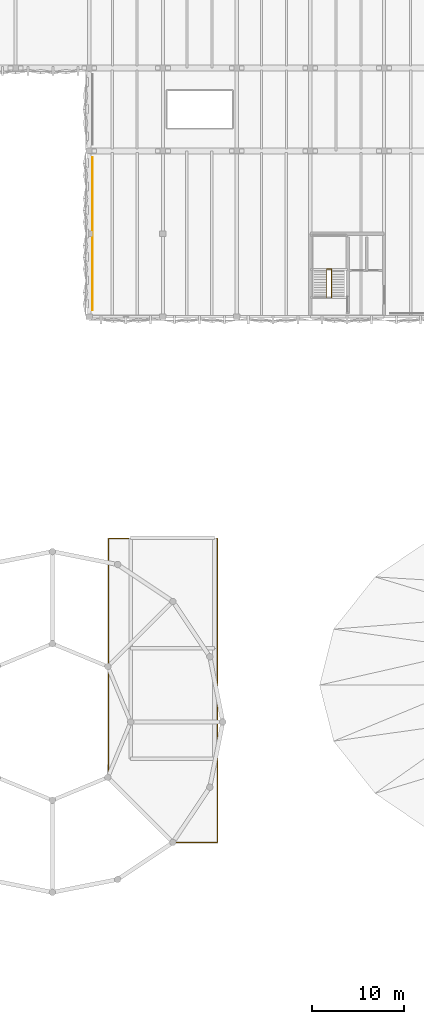
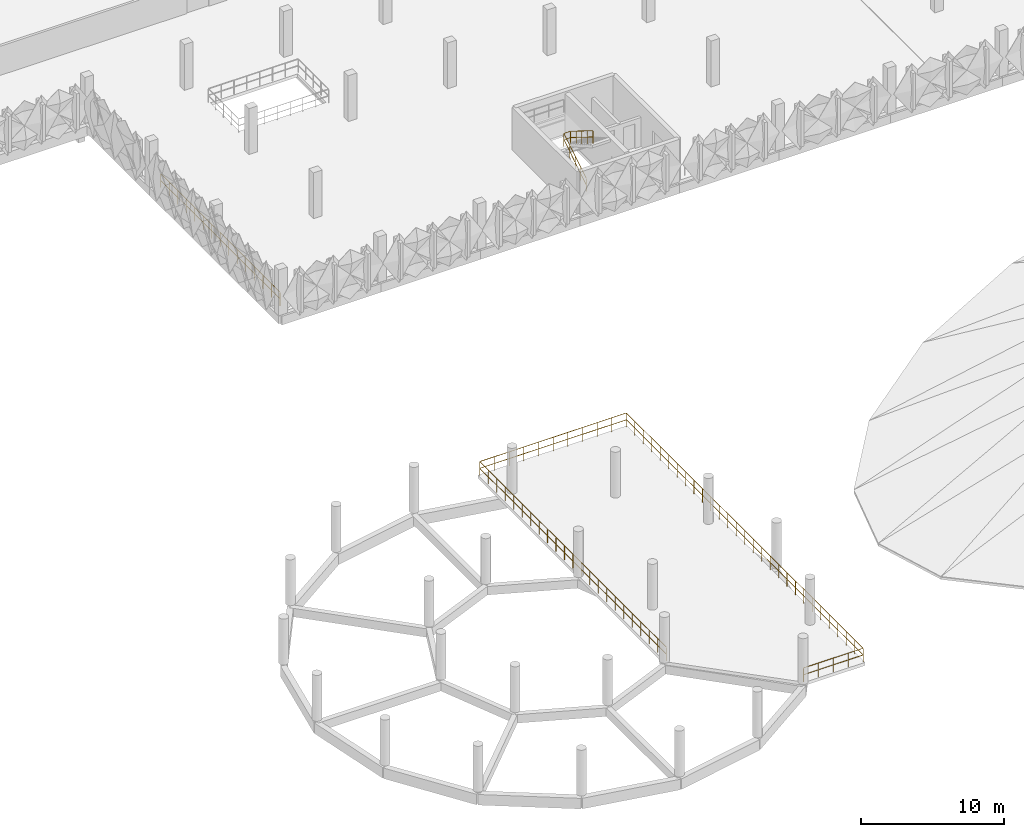
# One storey, part 45 of 52: 3 railings.
"""IFC4 building model written with IfcOpenShell, lengths in metres."""

from ifc_helpers import new_model, si_unit, derived_unit, direction, frame, origin, origin_2d, place, context, subcontext, project, spatial, circle, extrude, material, type_object, element, save


model = new_model("IFC4")

# Units and contexts
model_context = context("Model", 3, precision=1e-05, world=origin(), true_north=direction((0.0, 1.0)))
body_context = subcontext(model_context, "Body", "Model", "MODEL_VIEW")
ifc_project = project(units=[si_unit("LENGTHUNIT", "METRE"), si_unit("AREAUNIT", "SQUARE_METRE"), si_unit("VOLUMEUNIT", "CUBIC_METRE"), si_unit("PLANEANGLEUNIT", "RADIAN"), si_unit("MASSUNIT", "GRAM", prefix="KILO"), si_unit("THERMODYNAMICTEMPERATUREUNIT", "KELVIN"), derived_unit("THERMALTRANSMITTANCEUNIT", [(si_unit("POWERUNIT", "WATT"), 1), (si_unit("AREAUNIT", "SQUARE_METRE"), -1), (si_unit("THERMODYNAMICTEMPERATUREUNIT", "KELVIN"), -1)])], contexts=[model_context])

# Site, building, storey
site_placement = place(None, origin())
site = spatial("IfcSite", under=ifc_project, at=site_placement, CompositionType="ELEMENT")
building_placement = place(site_placement, origin())
building = spatial("IfcBuilding", under=site, at=building_placement, Name="Haiyu Intermodal Mobility Hub", CompositionType="ELEMENT")
storey_placement = place(building_placement, frame((0.0, 0.0, 21.199951171875)))
storey = spatial("IfcBuildingStorey", under=building, at=storey_placement, Name="L05", CompositionType="ELEMENT", Elevation=21.199951171875)

# Railings
ifc_material = material(Name="Steel Q355C", Category="steel")
railing_type_1 = type_object("IfcRailingType", Name="RAL-GR01", PredefinedType="GUARDRAIL", material=ifc_material)
railing_1_placement = place(storey_placement, frame((47.10009765625, 46.89990234375, 0.0)))
element("IfcRailing", 1, at=railing_1_placement, inside=storey, type_object=railing_type_1, Name="L05 Ramp Arrival Deck Full Perimeter Guard", PredefinedType="GUARDRAIL", context=body_context, shape_type="SweptSolid", body=[
    extrude(circle(Radius=0.02392578125, at=origin_2d()), frame((0.030029296875, 0.0, 1.17578125), z_axis=(1.0, 0.0, 0.0), x_axis=(0.0, 1.0, 0.0)), (0.0, 0.0, 1.0), 4.73974609375),
    extrude(circle(Radius=0.02392578125, at=origin_2d()), frame((0.037353515625, 0.0, 0.60009765625), z_axis=(1.0, 0.0, 0.0), x_axis=(0.0, 1.0, 0.0)), (0.0, 0.0, 1.0), 1.125244140625),
    extrude(circle(Radius=0.02392578125, at=origin_2d()), frame((1.2373046875, 0.0, 0.60009765625), z_axis=(1.0, 0.0, 0.0), x_axis=(0.0, 1.0, 0.0)), (0.0, 0.0, 1.0), 1.125244140625),
    extrude(circle(Radius=0.02392578125, at=origin_2d()), frame((2.437255859375, 0.0, 0.60009765625), z_axis=(1.0, 0.0, 0.0), x_axis=(0.0, 1.0, 0.0)), (0.0, 0.0, 1.0), 1.125244140625),
    extrude(circle(Radius=0.02392578125, at=origin_2d()), frame((3.63720703125, 0.0, 0.60009765625), z_axis=(1.0, 0.0, 0.0), x_axis=(0.0, 1.0, 0.0)), (0.0, 0.0, 1.0), 1.125244140625),
    extrude(circle(Radius=0.02392578125, at=origin_2d()), frame((4.7998046875, 0.030029296875, 1.17578125), z_axis=(0.0, 1.0, 0.0), x_axis=(-1.0, 0.0, 0.0)), (0.0, 0.0, 1.0), 32.93994140625),
    extrude(circle(Radius=0.02392578125, at=origin_2d()), frame((4.7998046875, 0.037353515625, 0.60009765625), z_axis=(0.0, 1.0, 0.0), x_axis=(-1.0, 0.0, 0.0)), (0.0, 0.0, 1.0), 1.10400390625),
    extrude(circle(Radius=0.02392578125, at=origin_2d()), frame((4.7998046875, 1.2158203125, 0.60009765625), z_axis=(0.0, 1.0, 0.0), x_axis=(-1.0, 0.0, 0.0)), (0.0, 0.0, 1.0), 1.10400390625),
    extrude(circle(Radius=0.02392578125, at=origin_2d()), frame((4.7998046875, 2.39453125, 0.60009765625), z_axis=(0.0, 1.0, 0.0), x_axis=(-1.0, 0.0, 0.0)), (0.0, 0.0, 1.0), 1.10400390625),
    extrude(circle(Radius=0.02392578125, at=origin_2d()), frame((4.7998046875, 3.572998046875, 0.60009765625), z_axis=(0.0, 1.0, 0.0), x_axis=(-1.0, 0.0, 0.0)), (0.0, 0.0, 1.0), 1.10400390625),
    extrude(circle(Radius=0.02392578125, at=origin_2d()), frame((4.7998046875, 4.75146484375, 0.60009765625), z_axis=(0.0, 1.0, 0.0), x_axis=(-1.0, 0.0, 0.0)), (0.0, 0.0, 1.0), 1.10400390625),
    extrude(circle(Radius=0.02392578125, at=origin_2d()), frame((4.7998046875, 5.93017578125, 0.60009765625), z_axis=(0.0, 1.0, 0.0), x_axis=(-1.0, 0.0, 0.0)), (0.0, 0.0, 1.0), 1.10400390625),
    extrude(circle(Radius=0.02392578125, at=origin_2d()), frame((4.7998046875, 7.108642578125, 0.60009765625), z_axis=(0.0, 1.0, 0.0), x_axis=(-1.0, 0.0, 0.0)), (0.0, 0.0, 1.0), 1.10400390625),
    extrude(circle(Radius=0.02392578125, at=origin_2d()), frame((4.7998046875, 8.287353515625, 0.60009765625), z_axis=(0.0, 1.0, 0.0), x_axis=(-1.0, 0.0, 0.0)), (0.0, 0.0, 1.0), 1.10400390625),
    extrude(circle(Radius=0.02392578125, at=origin_2d()), frame((4.7998046875, 9.4658203125, 0.60009765625), z_axis=(0.0, 1.0, 0.0), x_axis=(-1.0, 0.0, 0.0)), (0.0, 0.0, 1.0), 1.10400390625),
    extrude(circle(Radius=0.02392578125, at=origin_2d()), frame((4.7998046875, 10.64453125, 0.60009765625), z_axis=(0.0, 1.0, 0.0), x_axis=(-1.0, 0.0, 0.0)), (0.0, 0.0, 1.0), 1.10400390625),
    extrude(circle(Radius=0.02392578125, at=origin_2d()), frame((4.7998046875, 11.822998046875, 0.60009765625), z_axis=(0.0, 1.0, 0.0), x_axis=(-1.0, 0.0, 0.0)), (0.0, 0.0, 1.0), 1.10400390625),
    extrude(circle(Radius=0.02392578125, at=origin_2d()), frame((4.7998046875, 13.00146484375, 0.60009765625), z_axis=(0.0, 1.0, 0.0), x_axis=(-1.0, 0.0, 0.0)), (0.0, 0.0, 1.0), 1.10400390625),
    extrude(circle(Radius=0.02392578125, at=origin_2d()), frame((4.7998046875, 14.18017578125, 0.60009765625), z_axis=(0.0, 1.0, 0.0), x_axis=(-1.0, 0.0, 0.0)), (0.0, 0.0, 1.0), 1.10400390625),
    extrude(circle(Radius=0.02392578125, at=origin_2d()), frame((4.7998046875, 15.358642578125, 0.60009765625), z_axis=(0.0, 1.0, 0.0), x_axis=(-1.0, 0.0, 0.0)), (0.0, 0.0, 1.0), 1.10400390625),
    extrude(circle(Radius=0.02392578125, at=origin_2d()), frame((4.7998046875, 16.537353515625, 0.60009765625), z_axis=(0.0, 1.0, 0.0), x_axis=(-1.0, 0.0, 0.0)), (0.0, 0.0, 1.0), 1.10400390625),
    extrude(circle(Radius=0.02392578125, at=origin_2d()), frame((4.7998046875, 17.7158203125, 0.60009765625), z_axis=(0.0, 1.0, 0.0), x_axis=(-1.0, 0.0, 0.0)), (0.0, 0.0, 1.0), 1.10400390625),
    extrude(circle(Radius=0.02392578125, at=origin_2d()), frame((4.7998046875, 18.89453125, 0.60009765625), z_axis=(0.0, 1.0, 0.0), x_axis=(-1.0, 0.0, 0.0)), (0.0, 0.0, 1.0), 1.10400390625),
    extrude(circle(Radius=0.02392578125, at=origin_2d()), frame((4.7998046875, 20.072998046875, 0.60009765625), z_axis=(0.0, 1.0, 0.0), x_axis=(-1.0, 0.0, 0.0)), (0.0, 0.0, 1.0), 1.10400390625),
    extrude(circle(Radius=0.02392578125, at=origin_2d()), frame((4.7998046875, 21.25146484375, 0.60009765625), z_axis=(0.0, 1.0, 0.0), x_axis=(-1.0, 0.0, 0.0)), (0.0, 0.0, 1.0), 1.10400390625),
    extrude(circle(Radius=0.02392578125, at=origin_2d()), frame((4.7998046875, 22.43017578125, 0.60009765625), z_axis=(0.0, 1.0, 0.0), x_axis=(-1.0, 0.0, 0.0)), (0.0, 0.0, 1.0), 1.10400390625),
    extrude(circle(Radius=0.02392578125, at=origin_2d()), frame((4.7998046875, 23.608642578125, 0.60009765625), z_axis=(0.0, 1.0, 0.0), x_axis=(-1.0, 0.0, 0.0)), (0.0, 0.0, 1.0), 1.10400390625),
    extrude(circle(Radius=0.02392578125, at=origin_2d()), frame((4.7998046875, 24.787353515625, 0.60009765625), z_axis=(0.0, 1.0, 0.0), x_axis=(-1.0, 0.0, 0.0)), (0.0, 0.0, 1.0), 1.10400390625),
    extrude(circle(Radius=0.02392578125, at=origin_2d()), frame((4.7998046875, 25.9658203125, 0.60009765625), z_axis=(0.0, 1.0, 0.0), x_axis=(-1.0, 0.0, 0.0)), (0.0, 0.0, 1.0), 1.10400390625),
    extrude(circle(Radius=0.02392578125, at=origin_2d()), frame((4.7998046875, 27.14453125, 0.60009765625), z_axis=(0.0, 1.0, 0.0), x_axis=(-1.0, 0.0, 0.0)), (0.0, 0.0, 1.0), 1.10400390625),
    extrude(circle(Radius=0.02392578125, at=origin_2d()), frame((4.7998046875, 28.322998046875, 0.60009765625), z_axis=(0.0, 1.0, 0.0), x_axis=(-1.0, 0.0, 0.0)), (0.0, 0.0, 1.0), 1.10400390625),
    extrude(circle(Radius=0.02392578125, at=origin_2d()), frame((4.7998046875, 29.50146484375, 0.60009765625), z_axis=(0.0, 1.0, 0.0), x_axis=(-1.0, 0.0, 0.0)), (0.0, 0.0, 1.0), 1.10400390625),
    extrude(circle(Radius=0.02392578125, at=origin_2d()), frame((4.7998046875, 30.68017578125, 0.60009765625), z_axis=(0.0, 1.0, 0.0), x_axis=(-1.0, 0.0, 0.0)), (0.0, 0.0, 1.0), 1.10400390625),
    extrude(circle(Radius=0.02392578125, at=origin_2d()), frame((4.7998046875, 31.858642578125, 0.60009765625), z_axis=(0.0, 1.0, 0.0), x_axis=(-1.0, 0.0, 0.0)), (0.0, 0.0, 1.0), 1.10400390625),
    extrude(circle(Radius=0.02392578125, at=origin_2d()), frame((4.769775390625, 33.0, 1.17578125), z_axis=(-1.0, 0.0, 0.0), x_axis=(0.0, -1.0, 0.0)), (0.0, 0.0, 1.0), 11.73974609375),
    extrude(circle(Radius=0.02392578125, at=origin_2d()), frame((4.762451171875, 33.0, 0.60009765625), z_axis=(-1.0, 0.0, 0.0), x_axis=(0.0, -1.0, 0.0)), (0.0, 0.0, 1.0), 1.10546875),
    extrude(circle(Radius=0.02392578125, at=origin_2d()), frame((3.58251953125, 33.0, 0.60009765625), z_axis=(-1.0, 0.0, 0.0), x_axis=(0.0, -1.0, 0.0)), (0.0, 0.0, 1.0), 1.10546875),
    extrude(circle(Radius=0.02392578125, at=origin_2d()), frame((2.402587890625, 33.0, 0.60009765625), z_axis=(-1.0, 0.0, 0.0), x_axis=(0.0, -1.0, 0.0)), (0.0, 0.0, 1.0), 1.10546875),
    extrude(circle(Radius=0.02392578125, at=origin_2d()), frame((1.22265625, 33.0, 0.60009765625), z_axis=(-1.0, 0.0, 0.0), x_axis=(0.0, -1.0, 0.0)), (0.0, 0.0, 1.0), 1.10546875),
    extrude(circle(Radius=0.02392578125, at=origin_2d()), frame((0.04248046875, 33.0, 0.60009765625), z_axis=(-1.0, 0.0, 0.0), x_axis=(0.0, -1.0, 0.0)), (0.0, 0.0, 1.0), 1.10546875),
    extrude(circle(Radius=0.02392578125, at=origin_2d()), frame((-1.137451171875, 33.0, 0.60009765625), z_axis=(-1.0, 0.0, 0.0), x_axis=(0.0, -1.0, 0.0)), (0.0, 0.0, 1.0), 1.10546875),
    extrude(circle(Radius=0.02392578125, at=origin_2d()), frame((-2.3173828125, 33.0, 0.60009765625), z_axis=(-1.0, 0.0, 0.0), x_axis=(0.0, -1.0, 0.0)), (0.0, 0.0, 1.0), 1.10546875),
    extrude(circle(Radius=0.02392578125, at=origin_2d()), frame((-3.497314453125, 33.0, 0.60009765625), z_axis=(-1.0, 0.0, 0.0), x_axis=(0.0, -1.0, 0.0)), (0.0, 0.0, 1.0), 1.10546875),
    extrude(circle(Radius=0.02392578125, at=origin_2d()), frame((-4.67724609375, 33.0, 0.60009765625), z_axis=(-1.0, 0.0, 0.0), x_axis=(0.0, -1.0, 0.0)), (0.0, 0.0, 1.0), 1.10546875),
    extrude(circle(Radius=0.02392578125, at=origin_2d()), frame((-5.857421875, 33.0, 0.60009765625), z_axis=(-1.0, 0.0, 0.0), x_axis=(0.0, -1.0, 0.0)), (0.0, 0.0, 1.0), 1.10546875),
    extrude(circle(Radius=0.02392578125, at=origin_2d()), frame((-7.0, 32.969970703125, 1.17578125), z_axis=(-0.000769389327, -0.99999970402, 0.0), x_axis=(0.99999970402, -0.000769389327, 0.0)), (0.0, 0.0, 1.0), 25.9599609375),
    extrude(circle(Radius=0.02392578125, at=origin_2d()), frame((-7.0, 32.962646484375, 0.60009765625), z_axis=(-0.000769389327, -0.99999970402, 0.0), x_axis=(0.99999970402, -0.000769389327, 0.0)), (0.0, 0.0, 1.0), 1.108154296875),
    extrude(circle(Radius=0.02392578125, at=origin_2d()), frame((-7.0009765625, 31.780029296875, 0.60009765625), z_axis=(-0.000769389327, -0.99999970402, 0.0), x_axis=(0.99999970402, -0.000769389327, 0.0)), (0.0, 0.0, 1.0), 1.108154296875),
    extrude(circle(Radius=0.02392578125, at=origin_2d()), frame((-7.001953125, 30.59716796875, 0.60009765625), z_axis=(-0.000769389327, -0.99999970402, 0.0), x_axis=(0.99999970402, -0.000769389327, 0.0)), (0.0, 0.0, 1.0), 1.108154296875),
    extrude(circle(Radius=0.02392578125, at=origin_2d()), frame((-7.002685546875, 29.41455078125, 0.60009765625), z_axis=(-0.000769389327, -0.99999970402, 0.0), x_axis=(0.99999970402, -0.000769389327, 0.0)), (0.0, 0.0, 1.0), 1.108154296875),
    extrude(circle(Radius=0.02392578125, at=origin_2d()), frame((-7.003662109375, 28.231689453125, 0.60009765625), z_axis=(-0.000769389327, -0.99999970402, 0.0), x_axis=(0.99999970402, -0.000769389327, 0.0)), (0.0, 0.0, 1.0), 1.108154296875),
    extrude(circle(Radius=0.02392578125, at=origin_2d()), frame((-7.004638671875, 27.049072265625, 0.60009765625), z_axis=(-0.000769389327, -0.99999970402, 0.0), x_axis=(0.99999970402, -0.000769389327, 0.0)), (0.0, 0.0, 1.0), 1.108154296875),
    extrude(circle(Radius=0.02392578125, at=origin_2d()), frame((-7.00537109375, 25.866455078125, 0.60009765625), z_axis=(-0.000769389327, -0.99999970402, 0.0), x_axis=(0.99999970402, -0.000769389327, 0.0)), (0.0, 0.0, 1.0), 1.108154296875),
    extrude(circle(Radius=0.02392578125, at=origin_2d()), frame((-7.00634765625, 24.68359375, 0.60009765625), z_axis=(-0.000769389327, -0.99999970402, 0.0), x_axis=(0.99999970402, -0.000769389327, 0.0)), (0.0, 0.0, 1.0), 1.108154296875),
    extrude(circle(Radius=0.02392578125, at=origin_2d()), frame((-7.00732421875, 23.5009765625, 0.60009765625), z_axis=(-0.000769389327, -0.99999970402, 0.0), x_axis=(0.99999970402, -0.000769389327, 0.0)), (0.0, 0.0, 1.0), 1.108154296875),
    extrude(circle(Radius=0.02392578125, at=origin_2d()), frame((-7.00830078125, 22.318115234375, 0.60009765625), z_axis=(-0.000769389327, -0.99999970402, 0.0), x_axis=(0.99999970402, -0.000769389327, 0.0)), (0.0, 0.0, 1.0), 1.108154296875),
    extrude(circle(Radius=0.02392578125, at=origin_2d()), frame((-7.009033203125, 21.135498046875, 0.60009765625), z_axis=(-0.000769389327, -0.99999970402, 0.0), x_axis=(0.99999970402, -0.000769389327, 0.0)), (0.0, 0.0, 1.0), 1.108154296875),
    extrude(circle(Radius=0.02392578125, at=origin_2d()), frame((-7.010009765625, 19.95263671875, 0.60009765625), z_axis=(-0.000769389327, -0.99999970402, 0.0), x_axis=(0.99999970402, -0.000769389327, 0.0)), (0.0, 0.0, 1.0), 1.108154296875),
    extrude(circle(Radius=0.02392578125, at=origin_2d()), frame((-7.010986328125, 18.77001953125, 0.60009765625), z_axis=(-0.000769389327, -0.99999970402, 0.0), x_axis=(0.99999970402, -0.000769389327, 0.0)), (0.0, 0.0, 1.0), 1.108154296875),
    extrude(circle(Radius=0.02392578125, at=origin_2d()), frame((-7.011962890625, 17.587158203125, 0.60009765625), z_axis=(-0.000769389327, -0.99999970402, 0.0), x_axis=(0.99999970402, -0.000769389327, 0.0)), (0.0, 0.0, 1.0), 1.108154296875),
    extrude(circle(Radius=0.02392578125, at=origin_2d()), frame((-7.0126953125, 16.404541015625, 0.60009765625), z_axis=(-0.000769389327, -0.99999970402, 0.0), x_axis=(0.99999970402, -0.000769389327, 0.0)), (0.0, 0.0, 1.0), 1.108154296875),
    extrude(circle(Radius=0.02392578125, at=origin_2d()), frame((-7.013671875, 15.2216796875, 0.60009765625), z_axis=(-0.000769389327, -0.99999970402, 0.0), x_axis=(0.99999970402, -0.000769389327, 0.0)), (0.0, 0.0, 1.0), 1.108154296875),
    extrude(circle(Radius=0.02392578125, at=origin_2d()), frame((-7.0146484375, 14.0390625, 0.60009765625), z_axis=(-0.000769389327, -0.99999970402, 0.0), x_axis=(0.99999970402, -0.000769389327, 0.0)), (0.0, 0.0, 1.0), 1.108154296875),
    extrude(circle(Radius=0.02392578125, at=origin_2d()), frame((-7.015380859375, 12.8564453125, 0.60009765625), z_axis=(-0.000769389327, -0.99999970402, 0.0), x_axis=(0.99999970402, -0.000769389327, 0.0)), (0.0, 0.0, 1.0), 1.108154296875),
    extrude(circle(Radius=0.02392578125, at=origin_2d()), frame((-7.016357421875, 11.673583984375, 0.60009765625), z_axis=(-0.000769389327, -0.99999970402, 0.0), x_axis=(0.99999970402, -0.000769389327, 0.0)), (0.0, 0.0, 1.0), 1.108154296875),
    extrude(circle(Radius=0.02392578125, at=origin_2d()), frame((-7.017333984375, 10.490966796875, 0.60009765625), z_axis=(-0.000769389327, -0.99999970402, 0.0), x_axis=(0.99999970402, -0.000769389327, 0.0)), (0.0, 0.0, 1.0), 1.108154296875),
    extrude(circle(Radius=0.02392578125, at=origin_2d()), frame((-7.018310546875, 9.30810546875, 0.60009765625), z_axis=(-0.000769389327, -0.99999970402, 0.0), x_axis=(0.99999970402, -0.000769389327, 0.0)), (0.0, 0.0, 1.0), 1.108154296875),
    extrude(circle(Radius=0.02392578125, at=origin_2d()), frame((-7.01904296875, 8.12548828125, 0.60009765625), z_axis=(-0.000769389327, -0.99999970402, 0.0), x_axis=(0.99999970402, -0.000769389327, 0.0)), (0.0, 0.0, 1.0), 1.108154296875),
    extrude(circle(Radius=0.02099609375, at=origin_2d()), origin(), (0.0, 0.0, 1.0), 1.143798828125),
    extrude(circle(Radius=0.02099609375, at=origin_2d()), frame((1.199951171875, 0.0, 0.0)), (0.0, 0.0, 1.0), 1.143798828125),
    extrude(circle(Radius=0.02099609375, at=origin_2d()), frame((2.39990234375, 0.0, 0.0)), (0.0, 0.0, 1.0), 1.143798828125),
    extrude(circle(Radius=0.02099609375, at=origin_2d()), frame((3.599853515625, 0.0, 0.0)), (0.0, 0.0, 1.0), 1.143798828125),
    extrude(circle(Radius=0.02099609375, at=origin_2d()), frame((4.7998046875, 0.0, 0.0)), (0.0, 0.0, 1.0), 1.143798828125),
    extrude(circle(Radius=0.02099609375, at=origin_2d()), frame((4.7998046875, 1.178466796875, 0.0)), (0.0, 0.0, 1.0), 1.143798828125),
    extrude(circle(Radius=0.02099609375, at=origin_2d()), frame((4.7998046875, 2.357177734375, 0.0)), (0.0, 0.0, 1.0), 1.143798828125),
    extrude(circle(Radius=0.02099609375, at=origin_2d()), frame((4.7998046875, 3.53564453125, 0.0)), (0.0, 0.0, 1.0), 1.143798828125),
    extrude(circle(Radius=0.02099609375, at=origin_2d()), frame((4.7998046875, 4.71435546875, 0.0)), (0.0, 0.0, 1.0), 1.143798828125),
    extrude(circle(Radius=0.02099609375, at=origin_2d()), frame((4.7998046875, 5.892822265625, 0.0)), (0.0, 0.0, 1.0), 1.143798828125),
    extrude(circle(Radius=0.02099609375, at=origin_2d()), frame((4.7998046875, 7.071533203125, 0.0)), (0.0, 0.0, 1.0), 1.143798828125),
    extrude(circle(Radius=0.02099609375, at=origin_2d()), frame((4.7998046875, 8.25, 0.0)), (0.0, 0.0, 1.0), 1.143798828125),
    extrude(circle(Radius=0.02099609375, at=origin_2d()), frame((4.7998046875, 9.428466796875, 0.0)), (0.0, 0.0, 1.0), 1.143798828125),
    extrude(circle(Radius=0.02099609375, at=origin_2d()), frame((4.7998046875, 10.607177734375, 0.0)), (0.0, 0.0, 1.0), 1.143798828125),
    extrude(circle(Radius=0.02099609375, at=origin_2d()), frame((4.7998046875, 11.78564453125, 0.0)), (0.0, 0.0, 1.0), 1.143798828125),
    extrude(circle(Radius=0.02099609375, at=origin_2d()), frame((4.7998046875, 12.96435546875, 0.0)), (0.0, 0.0, 1.0), 1.143798828125),
    extrude(circle(Radius=0.02099609375, at=origin_2d()), frame((4.7998046875, 14.142822265625, 0.0)), (0.0, 0.0, 1.0), 1.143798828125),
    extrude(circle(Radius=0.02099609375, at=origin_2d()), frame((4.7998046875, 15.321533203125, 0.0)), (0.0, 0.0, 1.0), 1.143798828125),
    extrude(circle(Radius=0.02099609375, at=origin_2d()), frame((4.7998046875, 16.5, 0.0)), (0.0, 0.0, 1.0), 1.143798828125),
    extrude(circle(Radius=0.02099609375, at=origin_2d()), frame((4.7998046875, 17.678466796875, 0.0)), (0.0, 0.0, 1.0), 1.143798828125),
    extrude(circle(Radius=0.02099609375, at=origin_2d()), frame((4.7998046875, 18.857177734375, 0.0)), (0.0, 0.0, 1.0), 1.143798828125),
    extrude(circle(Radius=0.02099609375, at=origin_2d()), frame((4.7998046875, 20.03564453125, 0.0)), (0.0, 0.0, 1.0), 1.143798828125),
    extrude(circle(Radius=0.02099609375, at=origin_2d()), frame((4.7998046875, 21.21435546875, 0.0)), (0.0, 0.0, 1.0), 1.143798828125),
    extrude(circle(Radius=0.02099609375, at=origin_2d()), frame((4.7998046875, 22.392822265625, 0.0)), (0.0, 0.0, 1.0), 1.143798828125),
    extrude(circle(Radius=0.02099609375, at=origin_2d()), frame((4.7998046875, 23.571533203125, 0.0)), (0.0, 0.0, 1.0), 1.143798828125),
    extrude(circle(Radius=0.02099609375, at=origin_2d()), frame((4.7998046875, 24.75, 0.0)), (0.0, 0.0, 1.0), 1.143798828125),
    extrude(circle(Radius=0.02099609375, at=origin_2d()), frame((4.7998046875, 25.928466796875, 0.0)), (0.0, 0.0, 1.0), 1.143798828125),
    extrude(circle(Radius=0.02099609375, at=origin_2d()), frame((4.7998046875, 27.107177734375, 0.0)), (0.0, 0.0, 1.0), 1.143798828125),
    extrude(circle(Radius=0.02099609375, at=origin_2d()), frame((4.7998046875, 28.28564453125, 0.0)), (0.0, 0.0, 1.0), 1.143798828125),
    extrude(circle(Radius=0.02099609375, at=origin_2d()), frame((4.7998046875, 29.46435546875, 0.0)), (0.0, 0.0, 1.0), 1.143798828125),
    extrude(circle(Radius=0.02099609375, at=origin_2d()), frame((4.7998046875, 30.642822265625, 0.0)), (0.0, 0.0, 1.0), 1.143798828125),
    extrude(circle(Radius=0.02099609375, at=origin_2d()), frame((4.7998046875, 31.821533203125, 0.0)), (0.0, 0.0, 1.0), 1.143798828125),
    extrude(circle(Radius=0.02099609375, at=origin_2d()), frame((4.7998046875, 33.0, 0.0)), (0.0, 0.0, 1.0), 1.143798828125),
    extrude(circle(Radius=0.02099609375, at=origin_2d()), frame((3.619873046875, 33.0, 0.0)), (0.0, 0.0, 1.0), 1.143798828125),
    extrude(circle(Radius=0.02099609375, at=origin_2d()), frame((2.43994140625, 33.0, 0.0)), (0.0, 0.0, 1.0), 1.143798828125),
    extrude(circle(Radius=0.02099609375, at=origin_2d()), frame((1.259765625, 33.0, 0.0)), (0.0, 0.0, 1.0), 1.143798828125),
    extrude(circle(Radius=0.02099609375, at=origin_2d()), frame((0.079833984375, 33.0, 0.0)), (0.0, 0.0, 1.0), 1.143798828125),
    extrude(circle(Radius=0.02099609375, at=origin_2d()), frame((-1.10009765625, 33.0, 0.0)), (0.0, 0.0, 1.0), 1.143798828125),
    extrude(circle(Radius=0.02099609375, at=origin_2d()), frame((-2.280029296875, 33.0, 0.0)), (0.0, 0.0, 1.0), 1.143798828125),
    extrude(circle(Radius=0.02099609375, at=origin_2d()), frame((-3.4599609375, 33.0, 0.0)), (0.0, 0.0, 1.0), 1.143798828125),
    extrude(circle(Radius=0.02099609375, at=origin_2d()), frame((-4.64013671875, 33.0, 0.0)), (0.0, 0.0, 1.0), 1.143798828125),
    extrude(circle(Radius=0.02099609375, at=origin_2d()), frame((-5.820068359375, 33.0, 0.0)), (0.0, 0.0, 1.0), 1.143798828125),
    extrude(circle(Radius=0.02099609375, at=origin_2d()), frame((-7.0, 33.0, 0.0)), (0.0, 0.0, 1.0), 1.143798828125),
    extrude(circle(Radius=0.02099609375, at=origin_2d()), frame((-7.0009765625, 31.8173828125, 0.0)), (0.0, 0.0, 1.0), 1.143798828125),
    extrude(circle(Radius=0.02099609375, at=origin_2d()), frame((-7.001708984375, 30.634521484375, 0.0)), (0.0, 0.0, 1.0), 1.143798828125),
    extrude(circle(Radius=0.02099609375, at=origin_2d()), frame((-7.002685546875, 29.451904296875, 0.0)), (0.0, 0.0, 1.0), 1.143798828125),
    extrude(circle(Radius=0.02099609375, at=origin_2d()), frame((-7.003662109375, 28.26904296875, 0.0)), (0.0, 0.0, 1.0), 1.143798828125),
    extrude(circle(Radius=0.02099609375, at=origin_2d()), frame((-7.004638671875, 27.08642578125, 0.0)), (0.0, 0.0, 1.0), 1.143798828125),
    extrude(circle(Radius=0.02099609375, at=origin_2d()), frame((-7.00537109375, 25.903564453125, 0.0)), (0.0, 0.0, 1.0), 1.143798828125),
    extrude(circle(Radius=0.02099609375, at=origin_2d()), frame((-7.00634765625, 24.720947265625, 0.0)), (0.0, 0.0, 1.0), 1.143798828125),
    extrude(circle(Radius=0.02099609375, at=origin_2d()), frame((-7.00732421875, 23.5380859375, 0.0)), (0.0, 0.0, 1.0), 1.143798828125),
    extrude(circle(Radius=0.02099609375, at=origin_2d()), frame((-7.00830078125, 22.35546875, 0.0)), (0.0, 0.0, 1.0), 1.143798828125),
    extrude(circle(Radius=0.02099609375, at=origin_2d()), frame((-7.009033203125, 21.172607421875, 0.0)), (0.0, 0.0, 1.0), 1.143798828125),
    extrude(circle(Radius=0.02099609375, at=origin_2d()), frame((-7.010009765625, 19.989990234375, 0.0)), (0.0, 0.0, 1.0), 1.143798828125),
    extrude(circle(Radius=0.02099609375, at=origin_2d()), frame((-7.010986328125, 18.807373046875, 0.0)), (0.0, 0.0, 1.0), 1.143798828125),
    extrude(circle(Radius=0.02099609375, at=origin_2d()), frame((-7.01171875, 17.62451171875, 0.0)), (0.0, 0.0, 1.0), 1.143798828125),
    extrude(circle(Radius=0.02099609375, at=origin_2d()), frame((-7.0126953125, 16.44189453125, 0.0)), (0.0, 0.0, 1.0), 1.143798828125),
    extrude(circle(Radius=0.02099609375, at=origin_2d()), frame((-7.013671875, 15.259033203125, 0.0)), (0.0, 0.0, 1.0), 1.143798828125),
    extrude(circle(Radius=0.02099609375, at=origin_2d()), frame((-7.0146484375, 14.076416015625, 0.0)), (0.0, 0.0, 1.0), 1.143798828125),
    extrude(circle(Radius=0.02099609375, at=origin_2d()), frame((-7.015380859375, 12.8935546875, 0.0)), (0.0, 0.0, 1.0), 1.143798828125),
    extrude(circle(Radius=0.02099609375, at=origin_2d()), frame((-7.016357421875, 11.7109375, 0.0)), (0.0, 0.0, 1.0), 1.143798828125),
    extrude(circle(Radius=0.02099609375, at=origin_2d()), frame((-7.017333984375, 10.528076171875, 0.0)), (0.0, 0.0, 1.0), 1.143798828125),
    extrude(circle(Radius=0.02099609375, at=origin_2d()), frame((-7.018310546875, 9.345458984375, 0.0)), (0.0, 0.0, 1.0), 1.143798828125),
    extrude(circle(Radius=0.02099609375, at=origin_2d()), frame((-7.01904296875, 8.16259765625, 0.0)), (0.0, 0.0, 1.0), 1.143798828125),
    extrude(circle(Radius=0.02099609375, at=origin_2d()), frame((-7.02001953125, 6.97998046875, 0.0)), (0.0, 0.0, 1.0), 1.143798828125),
])
railing_2_placement = place(storey_placement, frame((38.340087890625, 121.300048828125, 0.0)))
element("IfcRailing", 2, at=railing_2_placement, inside=storey, type_object=railing_type_1, Name="RAL-CAR-WS-0086", PredefinedType="GUARDRAIL", context=body_context, shape_type="SweptSolid", body=[
    extrude(circle(Radius=0.02392578125, at=origin_2d()), frame((0.0, -0.030029296875, 1.17578125), z_axis=(0.0, -1.0, 0.0), x_axis=(1.0, 0.0, 0.0)), (0.0, 0.0, 1.0), 16.5400390625),
    extrude(circle(Radius=0.02392578125, at=origin_2d()), frame((0.0, -0.037353515625, 0.60009765625), z_axis=(0.0, -1.0, 0.0), x_axis=(1.0, 0.0, 0.0)), (0.0, 0.0, 1.0), 1.111083984375),
    extrude(circle(Radius=0.02392578125, at=origin_2d()), frame((0.0, -1.222900390625, 0.60009765625), z_axis=(0.0, -1.0, 0.0), x_axis=(1.0, 0.0, 0.0)), (0.0, 0.0, 1.0), 1.111083984375),
    extrude(circle(Radius=0.02392578125, at=origin_2d()), frame((0.0, -2.40869140625, 0.60009765625), z_axis=(0.0, -1.0, 0.0), x_axis=(1.0, 0.0, 0.0)), (0.0, 0.0, 1.0), 1.111083984375),
    extrude(circle(Radius=0.02392578125, at=origin_2d()), frame((0.0, -3.594482421875, 0.60009765625), z_axis=(0.0, -1.0, 0.0), x_axis=(1.0, 0.0, 0.0)), (0.0, 0.0, 1.0), 1.111083984375),
    extrude(circle(Radius=0.02392578125, at=origin_2d()), frame((0.0, -4.7802734375, 0.60009765625), z_axis=(0.0, -1.0, 0.0), x_axis=(1.0, 0.0, 0.0)), (0.0, 0.0, 1.0), 1.111083984375),
    extrude(circle(Radius=0.02392578125, at=origin_2d()), frame((0.0, -5.9658203125, 0.60009765625), z_axis=(0.0, -1.0, 0.0), x_axis=(1.0, 0.0, 0.0)), (0.0, 0.0, 1.0), 1.111083984375),
    extrude(circle(Radius=0.02392578125, at=origin_2d()), frame((0.0, -7.151611328125, 0.60009765625), z_axis=(0.0, -1.0, 0.0), x_axis=(1.0, 0.0, 0.0)), (0.0, 0.0, 1.0), 1.111083984375),
    extrude(circle(Radius=0.02392578125, at=origin_2d()), frame((0.0, -8.33740234375, 0.60009765625), z_axis=(0.0, -1.0, 0.0), x_axis=(1.0, 0.0, 0.0)), (0.0, 0.0, 1.0), 1.111083984375),
    extrude(circle(Radius=0.02392578125, at=origin_2d()), frame((0.0, -9.52294921875, 0.60009765625), z_axis=(0.0, -1.0, 0.0), x_axis=(1.0, 0.0, 0.0)), (0.0, 0.0, 1.0), 1.111083984375),
    extrude(circle(Radius=0.02392578125, at=origin_2d()), frame((0.0, -10.708740234375, 0.60009765625), z_axis=(0.0, -1.0, 0.0), x_axis=(1.0, 0.0, 0.0)), (0.0, 0.0, 1.0), 1.111083984375),
    extrude(circle(Radius=0.02392578125, at=origin_2d()), frame((0.0, -11.89453125, 0.60009765625), z_axis=(0.0, -1.0, 0.0), x_axis=(1.0, 0.0, 0.0)), (0.0, 0.0, 1.0), 1.111083984375),
    extrude(circle(Radius=0.02392578125, at=origin_2d()), frame((0.0, -13.080322265625, 0.60009765625), z_axis=(0.0, -1.0, 0.0), x_axis=(1.0, 0.0, 0.0)), (0.0, 0.0, 1.0), 1.111083984375),
    extrude(circle(Radius=0.02392578125, at=origin_2d()), frame((0.0, -14.265869140625, 0.60009765625), z_axis=(0.0, -1.0, 0.0), x_axis=(1.0, 0.0, 0.0)), (0.0, 0.0, 1.0), 1.111083984375),
    extrude(circle(Radius=0.02392578125, at=origin_2d()), frame((0.0, -15.45166015625, 0.60009765625), z_axis=(0.0, -1.0, 0.0), x_axis=(1.0, 0.0, 0.0)), (0.0, 0.0, 1.0), 1.111083984375),
    extrude(circle(Radius=0.02099609375, at=origin_2d()), origin(), (0.0, 0.0, 1.0), 1.143798828125),
    extrude(circle(Radius=0.02099609375, at=origin_2d()), frame((0.0, -1.185791015625, 0.0)), (0.0, 0.0, 1.0), 1.143798828125),
    extrude(circle(Radius=0.02099609375, at=origin_2d()), frame((0.0, -2.371337890625, 0.0)), (0.0, 0.0, 1.0), 1.143798828125),
    extrude(circle(Radius=0.02099609375, at=origin_2d()), frame((0.0, -3.55712890625, 0.0)), (0.0, 0.0, 1.0), 1.143798828125),
    extrude(circle(Radius=0.02099609375, at=origin_2d()), frame((0.0, -4.742919921875, 0.0)), (0.0, 0.0, 1.0), 1.143798828125),
    extrude(circle(Radius=0.02099609375, at=origin_2d()), frame((0.0, -5.9287109375, 0.0)), (0.0, 0.0, 1.0), 1.143798828125),
    extrude(circle(Radius=0.02099609375, at=origin_2d()), frame((0.0, -7.1142578125, 0.0)), (0.0, 0.0, 1.0), 1.143798828125),
    extrude(circle(Radius=0.02099609375, at=origin_2d()), frame((0.0, -8.300048828125, 0.0)), (0.0, 0.0, 1.0), 1.143798828125),
    extrude(circle(Radius=0.02099609375, at=origin_2d()), frame((0.0, -9.48583984375, 0.0)), (0.0, 0.0, 1.0), 1.143798828125),
    extrude(circle(Radius=0.02099609375, at=origin_2d()), frame((0.0, -10.67138671875, 0.0)), (0.0, 0.0, 1.0), 1.143798828125),
    extrude(circle(Radius=0.02099609375, at=origin_2d()), frame((0.0, -11.857177734375, 0.0)), (0.0, 0.0, 1.0), 1.143798828125),
    extrude(circle(Radius=0.02099609375, at=origin_2d()), frame((0.0, -13.04296875, 0.0)), (0.0, 0.0, 1.0), 1.143798828125),
    extrude(circle(Radius=0.02099609375, at=origin_2d()), frame((0.0, -14.228759765625, 0.0)), (0.0, 0.0, 1.0), 1.143798828125),
    extrude(circle(Radius=0.02099609375, at=origin_2d()), frame((0.0, -15.414306640625, 0.0)), (0.0, 0.0, 1.0), 1.143798828125),
    extrude(circle(Radius=0.02099609375, at=origin_2d()), frame((0.0, -16.60009765625, 0.0)), (0.0, 0.0, 1.0), 1.143798828125),
])
railing_type_2 = type_object("IfcRailingType", Name="RAL-GR03", PredefinedType="GUARDRAIL", material=ifc_material)
railing_3_placement = place(storey_placement, frame((63.780029296875, 106.050048828125, 0.0)))
element("IfcRailing", 3, at=railing_3_placement, inside=storey, type_object=railing_type_2, Name="Stair Well Guard STR-C5-L05", PredefinedType="GUARDRAIL", context=body_context, shape_type="SweptSolid", body=[
    extrude(circle(Radius=0.02392578125, at=origin_2d()), frame((0.0, 0.025390625, 1.11181640625), z_axis=(0.0, 0.848756196164, 0.528784378999), x_axis=(-1.0, 0.0, 0.0)), (0.0, 0.0, 1.0), 3.627685546875),
    extrude(circle(Radius=0.02392578125, at=origin_2d()), frame((0.0, 0.03173828125, 0.579833984375), z_axis=(0.0, 0.848756196164, 0.528784378999), x_axis=(-1.0, 0.0, 0.0)), (0.0, 0.0, 1.0), 0.847412109375),
    extrude(circle(Radius=0.02392578125, at=origin_2d()), frame((0.0, 0.814208984375, 1.0673828125), z_axis=(0.0, 0.848756196164, 0.528784378999), x_axis=(-1.0, 0.0, 0.0)), (0.0, 0.0, 1.0), 0.847412109375),
    extrude(circle(Radius=0.02392578125, at=origin_2d()), frame((0.0, 1.5966796875, 1.5546875), z_axis=(0.0, 0.848756196164, 0.528784378999), x_axis=(-1.0, 0.0, 0.0)), (0.0, 0.0, 1.0), 0.847412109375),
    extrude(circle(Radius=0.02392578125, at=origin_2d()), frame((0.0, 2.379150390625, 2.042236328125), z_axis=(0.0, 0.848756196164, 0.528784378999), x_axis=(-1.0, 0.0, 0.0)), (0.0, 0.0, 1.0), 0.847412109375),
    extrude(circle(Radius=0.02392578125, at=origin_2d()), frame((0.030029296875, 3.1298828125, 3.0458984375), z_axis=(1.0, 0.0, 0.0), x_axis=(0.0, 1.0, 0.0)), (0.0, 0.0, 1.0), 0.469970703125),
    extrude(circle(Radius=0.02392578125, at=origin_2d()), frame((0.037353515625, 3.1298828125, 2.510009765625), z_axis=(1.0, 0.0, 0.0), x_axis=(0.0, 1.0, 0.0)), (0.0, 0.0, 1.0), 0.455322265625),
    extrude(circle(Radius=0.02392578125, at=origin_2d()), frame((0.530029296875, 3.1044921875, 3.061767578125), z_axis=(0.0, -0.84872648218, 0.528832070176), x_axis=(1.0, 0.0, 0.0)), (0.0, 0.0, 1.0), 3.627685546875),
    extrude(circle(Radius=0.02392578125, at=origin_2d()), frame((0.530029296875, 3.09814453125, 2.52978515625), z_axis=(0.0, -0.84872648218, 0.528832070176), x_axis=(1.0, 0.0, 0.0)), (0.0, 0.0, 1.0), 0.847412109375),
    extrude(circle(Radius=0.02392578125, at=origin_2d()), frame((0.530029296875, 2.315673828125, 3.017333984375), z_axis=(0.0, -0.84872648218, 0.528832070176), x_axis=(1.0, 0.0, 0.0)), (0.0, 0.0, 1.0), 0.847412109375),
    extrude(circle(Radius=0.02392578125, at=origin_2d()), frame((0.530029296875, 1.533203125, 3.5048828125), z_axis=(0.0, -0.84872648218, 0.528832070176), x_axis=(1.0, 0.0, 0.0)), (0.0, 0.0, 1.0), 0.847412109375),
    extrude(circle(Radius=0.02392578125, at=origin_2d()), frame((0.530029296875, 0.750732421875, 3.992431640625), z_axis=(0.0, -0.84872648218, 0.528832070176), x_axis=(1.0, 0.0, 0.0)), (0.0, 0.0, 1.0), 0.847412109375),
    extrude(circle(Radius=0.02099609375, at=origin_2d()), origin(), (0.0, 0.0, 1.0), 1.06396484375),
    extrude(circle(Radius=0.02099609375, at=origin_2d()), frame((0.0, 0.782470703125, 0.487548828125)), (0.0, 0.0, 1.0), 1.06396484375),
    extrude(circle(Radius=0.02099609375, at=origin_2d()), frame((0.0, 1.56494140625, 0.97509765625)), (0.0, 0.0, 1.0), 1.06396484375),
    extrude(circle(Radius=0.02099609375, at=origin_2d()), frame((0.0, 2.347412109375, 1.46240234375)), (0.0, 0.0, 1.0), 1.06396484375),
    extrude(circle(Radius=0.02099609375, at=origin_2d()), frame((0.0, 3.1298828125, 1.949951171875)), (0.0, 0.0, 1.0), 1.06396484375),
    extrude(circle(Radius=0.02099609375, at=origin_2d()), frame((0.530029296875, 3.1298828125, 1.949951171875)), (0.0, 0.0, 1.0), 1.06396484375),
    extrude(circle(Radius=0.02099609375, at=origin_2d()), frame((0.530029296875, 2.347412109375, 2.4375)), (0.0, 0.0, 1.0), 1.06396484375),
    extrude(circle(Radius=0.02099609375, at=origin_2d()), frame((0.530029296875, 1.56494140625, 2.925048828125)), (0.0, 0.0, 1.0), 1.06396484375),
    extrude(circle(Radius=0.02099609375, at=origin_2d()), frame((0.530029296875, 0.782470703125, 3.41259765625)), (0.0, 0.0, 1.0), 1.06396484375),
    extrude(circle(Radius=0.02099609375, at=origin_2d()), frame((0.530029296875, 0.0, 3.900146484375)), (0.0, 0.0, 1.0), 1.06396484375),
])

save(model, "model.ifc")
